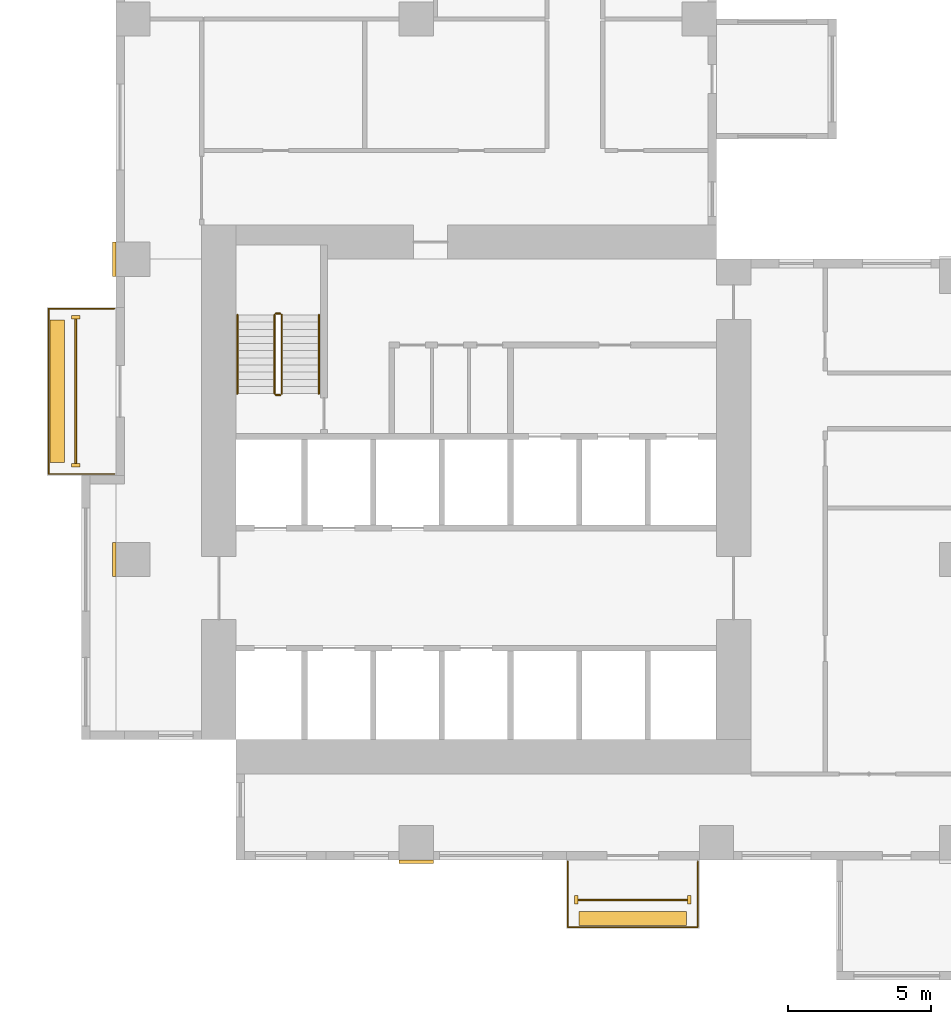
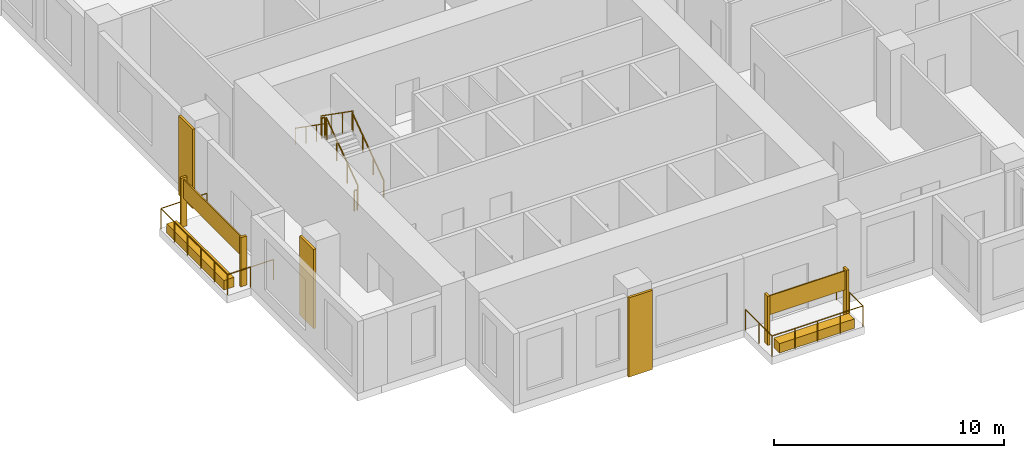
# One storey, part 11 of 15: 11 coverings, 8 railings.
"""IFC4 building model written with IfcOpenShell, lengths in metres."""

import ifcopenshell
import ifcopenshell.guid

model = None  # the IFC model being written
_history = None  # IfcOwnerHistory: only IFC2X3 demands one
_inside = {}  # id of a spatial element -> (the spatial element, [elements in it])
_under = {}  # id of a project, library or spatial element -> (it, [spatial elements below it])
_declared = {}  # id of a project -> (the project, [libraries it declares])
_typed = {}  # id of a type object -> (the type object, [elements of that type])
_made_of = {}  # id of a material, layer set ... -> (it, [elements and type objects made of it])


def new_model(schema):
    """Start an empty IFC model of exactly this schema.

    Asked for "IFC4X3", IfcOpenShell would pick the latest addendum, in which some entities
    have other attributes; the version numbers below select the first issue.
    IFC2X3 requires an IfcOwnerHistory on every rooted entity: one is made here for all.
    """
    global model, _history
    if schema == "IFC4X3":
        model = ifcopenshell.file(schema_version=(4, 3, 0, 0))
    else:
        model = ifcopenshell.file(schema=schema)
    _inside.clear()
    _under.clear()
    _declared.clear()
    _typed.clear()
    _made_of.clear()
    _history = None
    if model.schema == "IFC2X3":
        org = make("IfcOrganization", Name="unknown")
        user = make(
            "IfcPersonAndOrganization",
            ThePerson=make("IfcPerson", FamilyName="unknown"),
            TheOrganization=org,
        )
        app = make(
            "IfcApplication",
            ApplicationDeveloper=org,
            Version="unknown",
            ApplicationFullName="unknown",
            ApplicationIdentifier="unknown",
        )
        _history = make(
            "IfcOwnerHistory",
            OwningUser=user,
            OwningApplication=app,
            ChangeAction="ADDED",
            CreationDate=0,
        )
    return model


def make(cls, **values):
    """One entity of the class cls with the attributes given. An attribute that is None is left unset."""
    return model.create_entity(
        cls, **{name: value for name, value in values.items() if value is not None}
    )


def rooted(cls, **values):
    """An entity with a GlobalId (a new one), such as an element, a storey or a relation."""
    return make(cls, GlobalId=ifcopenshell.guid.new(), OwnerHistory=_history, **values)


def si_unit(unit_type, name, prefix=None):
    """IfcSIUnit, for example si_unit("LENGTHUNIT", "METRE", prefix="MILLI")."""
    return make("IfcSIUnit", UnitType=unit_type, Prefix=prefix, Name=name)


def assignment(units):
    """IfcUnitAssignment: the units of a project."""
    return None if units is None else make("IfcUnitAssignment", Units=units)


def point(xyz):
    """IfcCartesianPoint."""
    return None if xyz is None else make("IfcCartesianPoint", Coordinates=xyz)


def direction(xyz):
    """IfcDirection."""
    return None if xyz is None else make("IfcDirection", DirectionRatios=xyz)


def frame(location, z_axis=None, x_axis=None):
    """IfcAxis2Placement3D, a coordinate frame: its origin and axes. An axis left out is left unset."""
    return make(
        "IfcAxis2Placement3D",
        Location=point(location),
        Axis=direction(z_axis),
        RefDirection=direction(x_axis),
    )


def frame_2d(location, x_axis=None):
    """IfcAxis2Placement2D, a coordinate frame in the plane: its origin and x axis."""
    return make(
        "IfcAxis2Placement2D", Location=point(location), RefDirection=direction(x_axis)
    )


def origin():
    """The frame at (0, 0, 0) with its axes left unset."""
    return frame((0.0, 0.0, 0.0))


def origin_2d():
    """The frame at (0, 0) in the plane with its x axis left unset."""
    return frame_2d((0.0, 0.0))


def place(relative_to, where):
    """IfcLocalPlacement: puts the frame where relative to a parent placement (None: the world)."""
    return make(
        "IfcLocalPlacement", PlacementRelTo=relative_to, RelativePlacement=where
    )


def context(
    kind, dimensions, precision=None, world=None, true_north=None, identifier=None
):
    """IfcGeometricRepresentationContext, for example the 3D "Model" context."""
    return make(
        "IfcGeometricRepresentationContext",
        ContextIdentifier=identifier,
        ContextType=kind,
        CoordinateSpaceDimension=dimensions,
        Precision=precision,
        WorldCoordinateSystem=world,
        TrueNorth=true_north,
    )


def subcontext(parent, identifier, kind, view, scale=None):
    """IfcGeometricRepresentationSubContext, for example "Body" below "Model"."""
    return make(
        "IfcGeometricRepresentationSubContext",
        ContextIdentifier=identifier,
        ContextType=kind,
        ParentContext=parent,
        TargetScale=scale,
        TargetView=view,
    )


def project(units=None, contexts=None):
    """IfcProject with its units and contexts."""
    return rooted(
        "IfcProject",
        Name="project",
        RepresentationContexts=contexts,
        UnitsInContext=assignment(units),
    )


def spatial(cls, under=None, at=None, **own):
    """A site, building, storey or space (cls), placed at a placement, below another one or the project."""
    s = rooted(cls, ObjectPlacement=at, **own)
    if under is not None:
        _under.setdefault(under.id(), (under, []))[1].append(s)
    return s


def profile(cls, at=None, kind="AREA", **sizes):
    """A parametric profile (cls). Its sizes go by their IFC names, for example OverallWidth=200.0."""
    return make(cls, ProfileType=kind, Position=at, **sizes)


def rectangle(**sizes):
    """IfcRectangleProfileDef."""
    return profile("IfcRectangleProfileDef", **sizes)


def circle(**sizes):
    """IfcCircleProfileDef."""
    return profile("IfcCircleProfileDef", **sizes)


def extrude(swept, where, along, depth):
    """IfcExtrudedAreaSolid: the profile swept, set in the frame where, extruded along a direction by depth."""
    return make(
        "IfcExtrudedAreaSolid",
        SweptArea=swept,
        Position=where,
        ExtrudedDirection=direction(along),
        Depth=depth,
    )


def shape(context_of_items, identifier, shape_type, items):
    """IfcShapeRepresentation: the items that make up one representation, for example the "Body"."""
    return make(
        "IfcShapeRepresentation",
        ContextOfItems=context_of_items,
        RepresentationIdentifier=identifier,
        RepresentationType=shape_type,
        Items=items,
    )


def source(mapping_origin, context_of_items, identifier, shape_type, items):
    """IfcRepresentationMap: a shape defined once, which mapped items show again and again."""
    return make(
        "IfcRepresentationMap",
        MappingOrigin=mapping_origin,
        MappedRepresentation=shape(context_of_items, identifier, shape_type, items),
    )


def transform(
    local_origin,
    x_axis=None,
    y_axis=None,
    z_axis=None,
    scale=None,
    scale2=None,
    scale3=None,
    uniform=True,
):
    """IfcCartesianTransformationOperator3D, or its non-uniform kind. x_axis, y_axis, z_axis: its Axis1, 2, 3."""
    if uniform:
        return make(
            "IfcCartesianTransformationOperator3D",
            Axis1=direction(x_axis),
            Axis2=direction(y_axis),
            LocalOrigin=point(local_origin),
            Scale=scale,
            Axis3=direction(z_axis),
        )
    return make(
        "IfcCartesianTransformationOperator3DnonUniform",
        Axis1=direction(x_axis),
        Axis2=direction(y_axis),
        LocalOrigin=point(local_origin),
        Scale=scale,
        Axis3=direction(z_axis),
        Scale2=scale2,
        Scale3=scale3,
    )


def mapped(mapping_source, mapping_target):
    """IfcMappedItem: shows the shape of a source again, moved by a transform."""
    return make(
        "IfcMappedItem", MappingSource=mapping_source, MappingTarget=mapping_target
    )


def material(Name=None, Category=None):
    """IfcMaterial."""
    return make("IfcMaterial", Name=Name, Category=Category)


def made_of(thing, what):
    """Note that an element or type object is made of a material, layer set ...; save() writes the relation."""
    if what is not None:
        _made_of.setdefault(what.id(), (what, []))[1].append(thing)
    return thing


def type_object(cls, material=None, **own):
    """A type object (cls), such as IfcWallType, which elements share."""
    return made_of(rooted(cls, **own), material)


def element(
    cls,
    number,
    at=None,
    inside=None,
    cuts=None,
    type_object=None,
    material=None,
    context=None,
    identifier="Body",
    shape_type=None,
    held_by="IfcProductDefinitionShape",
    body=None,
    shapes=None,
    **own,
):
    """One element of the class cls, such as IfcWall. Its Tag is "e" and its number.

    at: its placement. inside: the storey or other place that contains it. cuts: it is an
    opening in that element (IfcRelVoidsElement). A single representation is given by context,
    identifier, shape_type and body (its items); several are given by shapes. held_by: the class
    of the entity that holds the representations. save() writes the other relations.
    """
    e = rooted(cls, Tag="e%d" % number, ObjectPlacement=at, **own)
    if body is not None:
        shapes = [shape(context, identifier, shape_type, body)]
    if shapes is not None:
        e.Representation = make(held_by, Representations=shapes)
    if inside is not None:
        _inside.setdefault(inside.id(), (inside, []))[1].append(e)
    if cuts is not None:
        rooted(
            "IfcRelVoidsElement", RelatingBuildingElement=cuts, RelatedOpeningElement=e
        )
    if type_object is not None:
        _typed.setdefault(type_object.id(), (type_object, []))[1].append(e)
    return made_of(e, material)


def aggregate(whole, parts):
    """IfcRelAggregates: a whole, such as a stair, and the parts it consists of."""
    return rooted("IfcRelAggregates", RelatingObject=whole, RelatedObjects=parts)


def save(model, path):
    """Write the relations noted so far, then the file.

    IfcRelAggregates (storeys below a building ...), IfcRelContainedInSpatialStructure (elements
    in a storey), IfcRelDefinesByType, IfcRelAssociatesMaterial and IfcRelDeclares: one each for
    every whole, place, type object, material and project.
    """
    for whole, parts in _under.values():
        aggregate(whole, parts)
    for where, things in _inside.values():
        rooted(
            "IfcRelContainedInSpatialStructure",
            RelatedElements=things,
            RelatingStructure=where,
        )
    for kind, things in _typed.values():
        rooted("IfcRelDefinesByType", RelatedObjects=things, RelatingType=kind)
    for what, things in _made_of.values():
        rooted("IfcRelAssociatesMaterial", RelatedObjects=things, RelatingMaterial=what)
    for by, libraries in _declared.values():
        rooted("IfcRelDeclares", RelatingContext=by, RelatedDefinitions=libraries)
    model.write(path)


model = new_model("IFC4")

# Units and contexts
model_context = context("Model", 3, precision=1e-05, world=origin(), true_north=direction((0.0, 1.0)))
body_context = subcontext(model_context, "Body", "Model", "MODEL_VIEW")
ifc_project = project(units=[si_unit("LENGTHUNIT", "METRE"), si_unit("AREAUNIT", "SQUARE_METRE"), si_unit("VOLUMEUNIT", "CUBIC_METRE"), si_unit("PLANEANGLEUNIT", "RADIAN"), si_unit("MASSUNIT", "GRAM", prefix="KILO")], contexts=[model_context])

# Site, building, storey
site_placement = place(None, origin())
site = spatial("IfcSite", under=ifc_project, at=site_placement, CompositionType="ELEMENT")
building_placement = place(site_placement, origin())
building = spatial("IfcBuilding", under=site, at=building_placement, Name="Aurelian Terraces", CompositionType="ELEMENT")
storey_placement = place(building_placement, frame((0.0, 0.0, 65.7)))
storey = spatial("IfcBuildingStorey", under=building, at=storey_placement, Name="L13", CompositionType="ELEMENT", Elevation=65.7)

# Coverings
ifc_material_1 = material(Name="Terracotta rainscreen cladding relief", Category="masonry")
covering_type_1 = type_object("IfcCoveringType", Name="FIN-TC", PredefinedType="CLADDING", material=ifc_material_1)
shared_shape_1 = source(origin(), body_context, "Body", "SweptSolid", [
    extrude(rectangle(XDim=0.3, YDim=0.12, at=origin_2d()), origin(), (0.0, 0.0, 1.0), 2.6),
])
for number, where, z_axis, x_axis, name in (
    (1, (-1.4, 18.97, 0.0), (0.0, 0.0, 1.0), (1.0, 0.0, 0.0), "FIN L13 L13-F14-39.1"),
    (2, (-1.4, 13.79, 0.0), (0.0, 0.0, 1.0), (1.0, 0.0, 0.0), "FIN L13 L13-F14-39.2"),
):
    element("IfcCovering", number, at=place(storey_placement, frame(where, z_axis=z_axis, x_axis=x_axis)), inside=storey, type_object=covering_type_1, Name=name, PredefinedType="CLADDING", context=body_context, shape_type="MappedRepresentation", body=[
        mapped(shared_shape_1, transform((0.0, 0.0, 0.0), scale=1.0)),
    ])
covering_type_2 = type_object("IfcCoveringType", Name="BAGUETTE-TC", PredefinedType="CLADDING", material=ifc_material_1)
shared_shape_2 = source(origin(), body_context, "Body", "SweptSolid", [
    extrude(rectangle(XDim=1.2, YDim=0.12, at=origin_2d()), origin(), (0.0, 0.0, 1.0), 4.2),
])
covering_1_placement = place(storey_placement, frame((10.5, -0.06, -0.4), z_axis=(0.0, 0.0, 1.0), x_axis=(1.0, 0.0, 0.0)))
element("IfcCovering", 3, at=covering_1_placement, inside=storey, type_object=covering_type_2, Name="BAGUETTE pier L13 1", PredefinedType="CLADDING", context=body_context, shape_type="MappedRepresentation", body=[
    mapped(shared_shape_2, transform((0.0, 0.0, 0.0), scale=1.0)),
])
shared_shape_3 = source(origin(), body_context, "Body", "SweptSolid", [
    extrude(rectangle(XDim=0.12, YDim=1.2, at=origin_2d()), origin(), (0.0, 0.0, 1.0), 4.2),
])
for number, where, z_axis, x_axis, name in (
    (4, (-0.06, 10.5, -0.4), (0.0, 0.0, 1.0), (1.0, 0.0, 0.0), "BAGUETTE pier L13 5"),
    (5, (-0.06, 21.0, -0.4), (0.0, 0.0, 1.0), (1.0, 0.0, 0.0), "BAGUETTE pier L13 9"),
):
    element("IfcCovering", number, at=place(storey_placement, frame(where, z_axis=z_axis, x_axis=x_axis)), inside=storey, type_object=covering_type_2, Name=name, PredefinedType="CLADDING", context=body_context, shape_type="MappedRepresentation", body=[
        mapped(shared_shape_3, transform((0.0, 0.0, 0.0), scale=1.0)),
    ])
shared_shape_4 = source(origin(), body_context, "Body", "SweptSolid", [
    extrude(rectangle(XDim=0.12, YDim=0.3, at=origin_2d()), origin(), (0.0, 0.0, 1.0), 2.6),
])
for number, where, z_axis, x_axis, name in (
    (6, (16.1, -1.4, 0.0), (0.0, 0.0, 1.0), (1.0, 0.0, 0.0), "FIN L13 L13-F01-04.1"),
    (7, (20.05, -1.4, 0.0), (0.0, 0.0, 1.0), (1.0, 0.0, 0.0), "FIN L13 L13-F01-04.2"),
):
    element("IfcCovering", number, at=place(storey_placement, frame(where, z_axis=z_axis, x_axis=x_axis)), inside=storey, type_object=covering_type_1, Name=name, PredefinedType="CLADDING", context=body_context, shape_type="MappedRepresentation", body=[
        mapped(shared_shape_4, transform((0.0, 0.0, 0.0), scale=1.0)),
    ])

# Railing
ifc_material_2 = material(Name="Anodised aluminium", Category="aluminium")
railing_type_1 = type_object("IfcRailingType", Name="GUARD-1100", PredefinedType="GUARDRAIL", material=ifc_material_2)
shared_shape_5 = source(origin(), body_context, "Body", "SweptSolid", [
    extrude(circle(Radius=0.024, at=origin_2d()), frame((0.0, 0.0, 1.076), z_axis=(-1.0, 0.0, 0.0), x_axis=(0.0, -1.0, 0.0)), (0.0, 0.0, 1.0), 2.3),
    extrude(circle(Radius=0.024, at=origin_2d()), frame((-2.3, 0.0, 1.076), z_axis=(0.0, -1.0, 0.0), x_axis=(1.0, 0.0, 0.0)), (0.0, 0.0, 1.0), 5.78),
    extrude(circle(Radius=0.024, at=origin_2d()), frame((-2.3, -5.78, 1.076), z_axis=(1.0, 0.0, 0.0), x_axis=(0.0, 1.0, 0.0)), (0.0, 0.0, 1.0), 2.3),
    extrude(circle(Radius=0.021, at=origin_2d()), origin(), (0.0, 0.0, 1.0), 1.052),
    extrude(circle(Radius=0.021, at=origin_2d()), frame((-1.15, 0.0, 0.0)), (0.0, 0.0, 1.0), 1.052),
    extrude(circle(Radius=0.021, at=origin_2d()), frame((-2.3, 0.0, 0.0)), (0.0, 0.0, 1.0), 1.052),
    extrude(circle(Radius=0.021, at=origin_2d()), frame((-2.3, -1.156, 0.0)), (0.0, 0.0, 1.0), 1.052),
    extrude(circle(Radius=0.021, at=origin_2d()), frame((-2.3, -2.312, 0.0)), (0.0, 0.0, 1.0), 1.052),
    extrude(circle(Radius=0.021, at=origin_2d()), frame((-2.3, -3.468, 0.0)), (0.0, 0.0, 1.0), 1.052),
    extrude(circle(Radius=0.021, at=origin_2d()), frame((-2.3, -4.624, 0.0)), (0.0, 0.0, 1.0), 1.052),
    extrude(circle(Radius=0.021, at=origin_2d()), frame((-2.3, -5.78, 0.0)), (0.0, 0.0, 1.0), 1.052),
    extrude(circle(Radius=0.021, at=origin_2d()), frame((-1.15, -5.78, 0.0)), (0.0, 0.0, 1.0), 1.052),
    extrude(circle(Radius=0.021, at=origin_2d()), frame((0.0, -5.78, 0.0)), (0.0, 0.0, 1.0), 1.052),
])
railing_1_placement = place(storey_placement, frame((-0.05, 19.27, 0.0)))
element("IfcRailing", 8, at=railing_1_placement, inside=storey, type_object=railing_type_1, Name="Balcony guard L13 F14.39", PredefinedType="GUARDRAIL", context=body_context, shape_type="MappedRepresentation", body=[
    mapped(shared_shape_5, transform((0.0, 0.0, 0.0), scale=1.0)),
])

# Coverings
ifc_material_3 = material(Name="Terracotta planter with planting soil", Category="masonry")
covering_type_3 = type_object("IfcCoveringType", Name="PLANTER-TROUGH", PredefinedType="USERDEFINED", material=ifc_material_3)
shared_shape_6 = source(origin(), body_context, "Body", "SweptSolid", [
    extrude(rectangle(XDim=0.5, YDim=4.98, at=origin_2d()), origin(), (0.0, 0.0, 1.0), 0.5),
])
covering_2_placement = place(storey_placement, frame((-2.05, 16.38, 0.0), z_axis=(0.0, 0.0, 1.0), x_axis=(1.0, 0.0, 0.0)))
element("IfcCovering", 9, at=covering_2_placement, inside=storey, type_object=covering_type_3, Name="PLANTER L13 L13-F14-39", ObjectType="PLANTER", PredefinedType="USERDEFINED", context=body_context, shape_type="MappedRepresentation", body=[
    mapped(shared_shape_6, transform((0.0, 0.0, 0.0), scale=1.0)),
])
ifc_material_4 = material(Name="Terracotta rainscreen cladding", Category="masonry")
covering_type_4 = type_object("IfcCoveringType", Name="SCREEN-TC", PredefinedType="CLADDING", material=ifc_material_4)
shared_shape_7 = source(origin(), body_context, "Body", "SweptSolid", [
    extrude(rectangle(XDim=0.06, YDim=5.06, at=origin_2d()), origin(), (0.0, 0.0, 1.0), 1.0),
])
covering_3_placement = place(storey_placement, frame((-1.4, 16.38, 1.5), z_axis=(0.0, 0.0, 1.0), x_axis=(1.0, 0.0, 0.0)))
element("IfcCovering", 10, at=covering_3_placement, inside=storey, type_object=covering_type_4, Name="SCREEN L13 L13-F14-39", PredefinedType="CLADDING", context=body_context, shape_type="MappedRepresentation", body=[
    mapped(shared_shape_7, transform((0.0, 0.0, 0.0), scale=1.0)),
])

# Railing
shared_shape_8 = source(origin(), body_context, "Body", "SweptSolid", [
    extrude(circle(Radius=0.024, at=origin_2d()), frame((0.0, 0.0, 1.076), z_axis=(0.0, -1.0, 0.0), x_axis=(1.0, 0.0, 0.0)), (0.0, 0.0, 1.0), 2.3),
    extrude(circle(Radius=0.024, at=origin_2d()), frame((0.0, -2.3, 1.076), z_axis=(1.0, 0.0, 0.0), x_axis=(0.0, 1.0, 0.0)), (0.0, 0.0, 1.0), 4.55),
    extrude(circle(Radius=0.024, at=origin_2d()), frame((4.55, -2.3, 1.076), z_axis=(0.0, 1.0, 0.0), x_axis=(-1.0, 0.0, 0.0)), (0.0, 0.0, 1.0), 2.3),
    extrude(circle(Radius=0.021, at=origin_2d()), origin(), (0.0, 0.0, 1.0), 1.052),
    extrude(circle(Radius=0.021, at=origin_2d()), frame((0.0, -1.15, 0.0)), (0.0, 0.0, 1.0), 1.052),
    extrude(circle(Radius=0.021, at=origin_2d()), frame((0.0, -2.3, 0.0)), (0.0, 0.0, 1.0), 1.052),
    extrude(circle(Radius=0.021, at=origin_2d()), frame((1.1375, -2.3, 0.0)), (0.0, 0.0, 1.0), 1.052),
    extrude(circle(Radius=0.021, at=origin_2d()), frame((2.275, -2.3, 0.0)), (0.0, 0.0, 1.0), 1.052),
    extrude(circle(Radius=0.021, at=origin_2d()), frame((3.4125, -2.3, 0.0)), (0.0, 0.0, 1.0), 1.052),
    extrude(circle(Radius=0.021, at=origin_2d()), frame((4.55, -2.3, 0.0)), (0.0, 0.0, 1.0), 1.052),
    extrude(circle(Radius=0.021, at=origin_2d()), frame((4.55, -1.15, 0.0)), (0.0, 0.0, 1.0), 1.052),
    extrude(circle(Radius=0.021, at=origin_2d()), frame((4.55, 0.0, 0.0)), (0.0, 0.0, 1.0), 1.052),
])
railing_2_placement = place(storey_placement, frame((15.8, -0.05, 0.0)))
element("IfcRailing", 11, at=railing_2_placement, inside=storey, type_object=railing_type_1, Name="Balcony guard L13 F01.4", PredefinedType="GUARDRAIL", context=body_context, shape_type="MappedRepresentation", body=[
    mapped(shared_shape_8, transform((0.0, 0.0, 0.0), scale=1.0)),
])

# Coverings
shared_shape_9 = source(origin(), body_context, "Body", "SweptSolid", [
    extrude(rectangle(XDim=3.75, YDim=0.5, at=origin_2d()), origin(), (0.0, 0.0, 1.0), 0.5),
])
covering_4_placement = place(storey_placement, frame((18.075, -2.05, 0.0), z_axis=(0.0, 0.0, 1.0), x_axis=(1.0, 0.0, 0.0)))
element("IfcCovering", 12, at=covering_4_placement, inside=storey, type_object=covering_type_3, Name="PLANTER L13 L13-F01-04", ObjectType="PLANTER", PredefinedType="USERDEFINED", context=body_context, shape_type="MappedRepresentation", body=[
    mapped(shared_shape_9, transform((0.0, 0.0, 0.0), scale=1.0)),
])
shared_shape_10 = source(origin(), body_context, "Body", "SweptSolid", [
    extrude(rectangle(XDim=3.83, YDim=0.06, at=origin_2d()), origin(), (0.0, 0.0, 1.0), 1.0),
])
covering_5_placement = place(storey_placement, frame((18.075, -1.4, 1.5), z_axis=(0.0, 0.0, 1.0), x_axis=(1.0, 0.0, 0.0)))
element("IfcCovering", 13, at=covering_5_placement, inside=storey, type_object=covering_type_4, Name="SCREEN L13 L13-F01-04", PredefinedType="CLADDING", context=body_context, shape_type="MappedRepresentation", body=[
    mapped(shared_shape_10, transform((0.0, 0.0, 0.0), scale=1.0)),
])

# Railings
ifc_material_5 = material(Name="Stainless steel", Category="steel")
railing_type_2 = type_object("IfcRailingType", Name="Stair guard 1100", PredefinedType="GUARDRAIL", material=ifc_material_5)
shared_shape_11 = source(origin(), body_context, "Body", "SweptSolid", [
    extrude(circle(Radius=0.024, at=origin_2d()), frame((0.0, 0.0, 1.076), z_axis=(-1.0, 0.0, 0.0), x_axis=(0.0, -1.0, 0.0)), (0.0, 0.0, 1.0), 0.15),
    extrude(circle(Radius=0.021, at=origin_2d()), origin(), (0.0, 0.0, 1.0), 1.052),
    extrude(circle(Radius=0.021, at=origin_2d()), frame((-0.15, 0.0, 0.0)), (0.0, 0.0, 1.0), 1.052),
])
for number, where, name in (
    (14, (5.75, 19.1, 2.1), "L13 S1 stair guard 2"),
    (15, (5.75, 16.25, 0.0), "L13 S1 stair guard 4"),
):
    element("IfcRailing", number, at=place(storey_placement, frame(where)), inside=storey, type_object=railing_type_2, Name=name, PredefinedType="GUARDRAIL", context=body_context, shape_type="MappedRepresentation", body=[
        mapped(shared_shape_11, transform((0.0, 0.0, 0.0), scale=1.0)),
    ])
shared_shape_12 = source(origin(), body_context, "Body", "SweptSolid", [
    extrude(circle(Radius=0.024, at=origin_2d()), frame((0.0, 0.0, 1.076), z_axis=(0.0, 0.819231920519, 0.573462344363), x_axis=(-1.0, 0.0, 0.0)), (0.0, 0.0, 1.0), 3.3568),
    extrude(circle(Radius=0.021, at=origin_2d()), origin(), (0.0, 0.0, 1.0), 1.052),
    extrude(circle(Radius=0.021, at=origin_2d()), frame((0.0, 0.9167, 0.6417)), (0.0, 0.0, 1.0), 1.052),
    extrude(circle(Radius=0.021, at=origin_2d()), frame((0.0, 1.8333, 1.2833)), (0.0, 0.0, 1.0), 1.052),
    extrude(circle(Radius=0.021, at=origin_2d()), frame((0.0, 2.75, 1.925)), (0.0, 0.0, 1.0), 1.052),
])
railing_3_placement = place(storey_placement, frame((5.8, 16.3, 0.175)))
element("IfcRailing", 16, at=railing_3_placement, inside=storey, type_object=railing_type_2, Name="L13 S1 stair guard 1", PredefinedType="GUARDRAIL", context=body_context, shape_type="MappedRepresentation", body=[
    mapped(shared_shape_12, transform((0.0, 0.0, 0.0), scale=1.0)),
])
shared_shape_13 = source(origin(), body_context, "Body", "SweptSolid", [
    extrude(circle(Radius=0.024, at=origin_2d()), frame((0.0, 0.0, 1.076), z_axis=(0.0, -0.819231920519, 0.573462344363), x_axis=(1.0, 0.0, 0.0)), (0.0, 0.0, 1.0), 3.3568),
    extrude(circle(Radius=0.021, at=origin_2d()), origin(), (0.0, 0.0, 1.0), 1.052),
    extrude(circle(Radius=0.021, at=origin_2d()), frame((0.0, -0.9167, 0.6417)), (0.0, 0.0, 1.0), 1.052),
    extrude(circle(Radius=0.021, at=origin_2d()), frame((0.0, -1.8333, 1.2833)), (0.0, 0.0, 1.0), 1.052),
    extrude(circle(Radius=0.021, at=origin_2d()), frame((0.0, -2.75, 1.925)), (0.0, 0.0, 1.0), 1.052),
])
railing_4_placement = place(storey_placement, frame((5.55, 19.05, 2.275)))
element("IfcRailing", 17, at=railing_4_placement, inside=storey, type_object=railing_type_2, Name="L13 S1 stair guard 3", PredefinedType="GUARDRAIL", context=body_context, shape_type="MappedRepresentation", body=[
    mapped(shared_shape_13, transform((0.0, 0.0, 0.0), scale=1.0)),
])
railing_type_3 = type_object("IfcRailingType", Name="Stair handrail", PredefinedType="HANDRAIL", material=ifc_material_5)
shared_shape_14 = source(origin(), body_context, "Body", "SweptSolid", [
    extrude(circle(Radius=0.024, at=origin_2d()), frame((0.0, 0.0, 0.876), z_axis=(0.0, 0.819231920519, 0.573462344363), x_axis=(-1.0, 0.0, 0.0)), (0.0, 0.0, 1.0), 3.3568),
    extrude(circle(Radius=0.021, at=origin_2d()), origin(), (0.0, 0.0, 1.0), 0.852),
    extrude(circle(Radius=0.021, at=origin_2d()), frame((0.0, 0.9167, 0.6417)), (0.0, 0.0, 1.0), 0.852),
    extrude(circle(Radius=0.021, at=origin_2d()), frame((0.0, 1.8333, 1.2833)), (0.0, 0.0, 1.0), 0.852),
    extrude(circle(Radius=0.021, at=origin_2d()), frame((0.0, 2.75, 1.925)), (0.0, 0.0, 1.0), 0.852),
])
railing_5_placement = place(storey_placement, frame((7.1, 16.3, 0.175)))
element("IfcRailing", 18, at=railing_5_placement, inside=storey, type_object=railing_type_3, Name="L13 S1 stair handrail 1", PredefinedType="HANDRAIL", context=body_context, shape_type="MappedRepresentation", body=[
    mapped(shared_shape_14, transform((0.0, 0.0, 0.0), scale=1.0)),
])
shared_shape_15 = source(origin(), body_context, "Body", "SweptSolid", [
    extrude(circle(Radius=0.024, at=origin_2d()), frame((0.0, 0.0, 0.876), z_axis=(0.0, -0.819231920519, 0.573462344363), x_axis=(1.0, 0.0, 0.0)), (0.0, 0.0, 1.0), 3.3568),
    extrude(circle(Radius=0.021, at=origin_2d()), origin(), (0.0, 0.0, 1.0), 0.852),
    extrude(circle(Radius=0.021, at=origin_2d()), frame((0.0, -0.9167, 0.6417)), (0.0, 0.0, 1.0), 0.852),
    extrude(circle(Radius=0.021, at=origin_2d()), frame((0.0, -1.8333, 1.2833)), (0.0, 0.0, 1.0), 0.852),
    extrude(circle(Radius=0.021, at=origin_2d()), frame((0.0, -2.75, 1.925)), (0.0, 0.0, 1.0), 0.852),
])
railing_6_placement = place(storey_placement, frame((4.25, 19.05, 2.275)))
element("IfcRailing", 19, at=railing_6_placement, inside=storey, type_object=railing_type_3, Name="L13 S1 stair handrail 2", PredefinedType="HANDRAIL", context=body_context, shape_type="MappedRepresentation", body=[
    mapped(shared_shape_15, transform((0.0, 0.0, 0.0), scale=1.0)),
])

save(model, "model.ifc")
